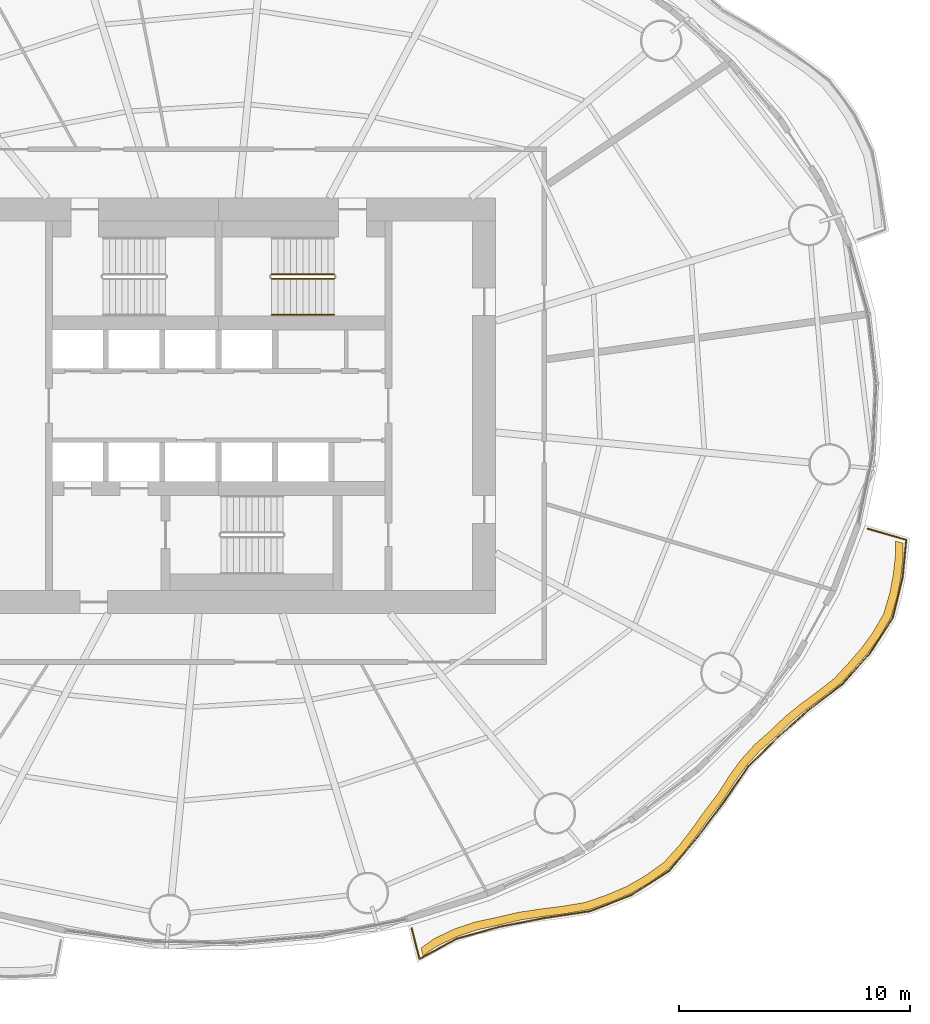
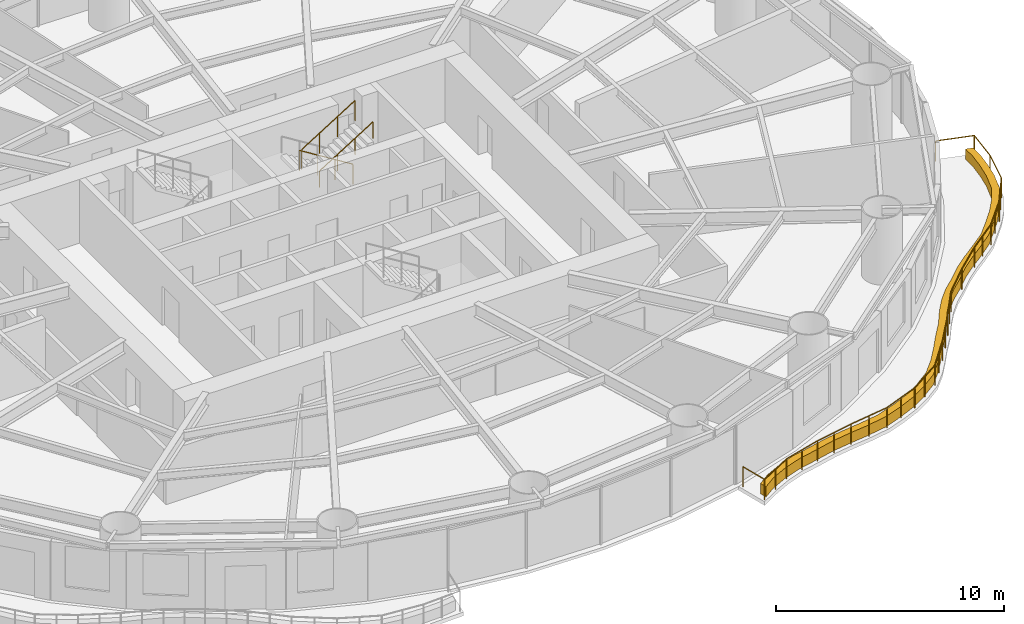
# One storey, part 14 of 16: 4 railings, 1 covering.
"""IFC4 building model written with IfcOpenShell, lengths in metres."""

from ifc_helpers import new_model, si_unit, direction, frame, origin, origin_2d, place, context, subcontext, project, spatial, polyline, circle, outline, extrude, material, type_object, element, save


model = new_model("IFC4")

# Units and contexts
model_context = context("Model", 3, precision=1e-05, world=origin(), true_north=direction((0.0, 1.0)))
body_context = subcontext(model_context, "Body", "Model", "MODEL_VIEW")
ifc_project = project(units=[si_unit("LENGTHUNIT", "METRE"), si_unit("AREAUNIT", "SQUARE_METRE"), si_unit("VOLUMEUNIT", "CUBIC_METRE"), si_unit("PLANEANGLEUNIT", "RADIAN"), si_unit("MASSUNIT", "GRAM", prefix="KILO")], contexts=[model_context])

# Site, building, storey
site_placement = place(None, origin())
site = spatial("IfcSite", under=ifc_project, at=site_placement, CompositionType="ELEMENT")
building_placement = place(site_placement, origin())
building = spatial("IfcBuilding", under=site, at=building_placement, Name="Vermilion Reach Broadcast Tower", CompositionType="ELEMENT")
storey_placement = place(building_placement, frame((0.0, 0.0, 43.39990234375)))
storey = spatial("IfcBuildingStorey", under=building, at=storey_placement, Name="L07", CompositionType="ELEMENT", Elevation=43.39990234375)

# Covering
ifc_material_1 = material(Name="Planting soil and greenery")
covering_type = type_object("IfcCoveringType", Name="Balcony PLANTER", PredefinedType="USERDEFINED", material=ifc_material_1)
covering_placement = place(storey_placement, origin())
element("IfcCovering", 1, at=covering_placement, inside=storey, type_object=covering_type, Name="PLANTER L07 group 4", ObjectType="PLANTER", PredefinedType="USERDEFINED", context=body_context, shape_type="SweptSolid", body=[
    extrude(outline(polyline([(2.852783203125, -23.826904296875), (3.458740234375, -23.4072265625), (4.30224609375, -23.004150390625), (5.178466796875, -22.70458984375), (6.149658203125, -22.492431640625), (7.115234375, -22.263671875), (8.048828125, -22.12158203125), (8.99365234375, -22.00439453125), (10.044921875, -21.822998046875), (11.021484375, -21.477783203125), (11.848876953125, -21.123046875), (12.62451171875, -20.680908203125), (13.471435546875, -20.076416015625), (14.169189453125, -19.317626953125), (14.7158203125, -18.598388671875), (15.245361328125, -17.857421875), (15.85400390625, -17.068603515625), (16.37646484375, -16.25927734375), (16.884765625, -15.56591796875), (17.456298828125, -14.935546875), (18.1484375, -14.320068359375), (18.803466796875, -13.684326171875), (19.4658203125, -13.148193359375), (20.159912109375, -12.635986328125), (20.94482421875, -12.019287109375), (21.59814453125, -11.30078125), (22.14111328125, -10.6787109375), (22.6220703125, -10.02197265625), (23.119384765625, -9.165283203125), (23.399169921875, -8.230224609375), (23.545654296875, -7.4404296875), (23.63818359375, -6.630126953125), (23.642822265625, -5.957763671875), (23.306640625, -5.860595703125), (23.310302734375, -6.507080078125), (23.218017578125, -7.3173828125), (23.071533203125, -8.107177734375), (22.8017578125, -9.01806640625), (22.31640625, -9.8515625), (21.83544921875, -10.50830078125), (21.29248046875, -11.13037109375), (20.65185546875, -11.82763671875), (19.881591796875, -12.424072265625), (19.1875, -12.93603515625), (18.52490234375, -13.472412109375), (17.884765625, -14.08984375), (17.208984375, -14.68798828125), (16.637451171875, -15.318359375), (16.12890625, -16.01171875), (15.623046875, -16.8056640625), (15.03173828125, -17.580078125), (14.502197265625, -18.3212890625), (13.95556640625, -19.040283203125), (13.275146484375, -19.78662109375), (12.4462890625, -20.379638671875), (11.670654296875, -20.82177734375), (10.84326171875, -21.176513671875), (9.884521484375, -21.511962890625), (8.8515625, -21.6845703125), (7.906982421875, -21.8017578125), (6.973388671875, -21.943603515625), (6.02587890625, -22.1650390625), (5.0732421875, -22.37060546875), (4.197265625, -22.67041015625), (3.353759765625, -23.0732421875), (2.76611328125, -23.48779296875), (2.852783203125, -23.826904296875)])), origin(), (0.0, 0.0, 1.0), 0.550048828125),
])

# Railings
ifc_material_2 = material(Name="Stainless steel 316 balustrade", Category="steel")
railing_type_1 = type_object("IfcRailingType", Name="Balcony guard 1100", PredefinedType="BALUSTRADE", material=ifc_material_2)
railing_1_placement = place(storey_placement, frame((2.364501953125, -22.640869140625, 0.0)))
element("IfcRailing", 2, at=railing_1_placement, inside=storey, type_object=railing_type_1, Name="Balcony guard L07 group 4", PredefinedType="BALUSTRADE", context=body_context, shape_type="SweptSolid", body=[
    extrude(circle(Radius=0.02490234375, at=origin_2d()), frame((0.0, 0.0, 1.0751953125), z_axis=(0.247433457587, -0.968904889071, 0.0), x_axis=(0.968904889071, 0.247433457587, 0.0)), (0.0, 0.0, 1.0), 1.359619140625),
    extrude(circle(Radius=0.02490234375, at=origin_2d()), frame((0.33642578125, -1.3173828125, 1.0751953125), z_axis=(0.879923078447, 0.475116171075, 0.0), x_axis=(-0.475116171075, 0.879923078447, 0.0)), (0.0, 0.0, 1.0), 1.847412109375),
    extrude(circle(Radius=0.02490234375, at=origin_2d()), frame((1.9619140625, -0.439697265625, 1.0751953125), z_axis=(0.963637957105, 0.267211316428, 0.0), x_axis=(-0.267211316428, 0.963637957105, 0.0)), (0.0, 0.0, 1.0), 1.92138671875),
    extrude(circle(Radius=0.02490234375, at=origin_2d()), frame((3.8134765625, 0.07373046875, 1.0751953125), z_axis=(0.981399873792, 0.191974705943, 0.0), x_axis=(-0.191974705943, 0.981399873792, 0.0)), (0.0, 0.0, 1.0), 1.939453125),
    extrude(circle(Radius=0.02490234375, at=origin_2d()), frame((5.716796875, 0.446044921875, 1.0751953125), z_axis=(0.988900024547, 0.148582439914, 0.0), x_axis=(-0.148582439914, 0.988900024547, 0.0)), (0.0, 0.0, 1.0), 2.022705078125),
    extrude(circle(Radius=0.02490234375, at=origin_2d()), frame((7.717041015625, 0.74658203125, 1.0751953125), z_axis=(0.93213688309, 0.362106104868, 0.0), x_axis=(-0.362106104868, 0.93213688309, 0.0)), (0.0, 0.0, 1.0), 1.939697265625),
    extrude(circle(Radius=0.02490234375, at=origin_2d()), frame((9.525146484375, 1.448974609375, 1.0751953125), z_axis=(0.84033741939, 0.542063669299, 0.0), x_axis=(-0.542063669299, 0.84033741939, 0.0)), (0.0, 0.0, 1.0), 1.935791015625),
    extrude(circle(Radius=0.02490234375, at=origin_2d()), frame((11.15185546875, 2.498291015625, 1.0751953125), z_axis=(0.644551019468, 0.764561301207, 0.0), x_axis=(-0.764561301207, 0.644551019468, 0.0)), (0.0, 0.0, 1.0), 1.936767578125),
    extrude(circle(Radius=0.02490234375, at=origin_2d()), frame((12.400146484375, 3.97900390625, 1.0751953125), z_axis=(0.597463613034, 0.801896022624, 0.0), x_axis=(-0.801896022624, 0.597463613034, 0.0)), (0.0, 0.0, 1.0), 1.911865234375),
    extrude(circle(Radius=0.02490234375, at=origin_2d()), frame((13.54248046875, 5.51220703125, 1.0751953125), z_axis=(0.566148813433, 0.824303051704, 0.0), x_axis=(-0.824303051704, 0.566148813433, 0.0)), (0.0, 0.0, 1.0), 1.8271484375),
    extrude(circle(Radius=0.02490234375, at=origin_2d()), frame((14.576904296875, 7.018310546875, 1.0751953125), z_axis=(0.712027506905, 0.702151571536, 0.0), x_axis=(-0.702151571536, 0.712027506905, 0.0)), (0.0, 0.0, 1.0), 1.77978515625),
    extrude(circle(Radius=0.02490234375, at=origin_2d()), frame((15.84423828125, 8.26806640625, 1.0751953125), z_axis=(0.746784486441, 0.665066110106, 0.0), x_axis=(-0.665066110106, 0.746784486441, 0.0)), (0.0, 0.0, 1.0), 1.7685546875),
    extrude(circle(Radius=0.02490234375, at=origin_2d()), frame((17.1650390625, 9.4443359375, 1.0751953125), z_axis=(0.794391258559, 0.607406394702, 0.0), x_axis=(-0.607406394702, 0.794391258559, 0.0)), (0.0, 0.0, 1.0), 1.86572265625),
    extrude(circle(Radius=0.02490234375, at=origin_2d()), frame((18.647216796875, 10.57763671875, 1.0751953125), z_axis=(0.665380369152, 0.746504497205, 0.0), x_axis=(-0.746504497205, 0.665380369152, 0.0)), (0.0, 0.0, 1.0), 1.802734375),
    extrude(circle(Radius=0.02490234375, at=origin_2d()), frame((19.8466796875, 11.92333984375, 1.0751953125), z_axis=(0.542551237905, 0.840022710555, 0.0), x_axis=(-0.840022710555, 0.542551237905, 0.0)), (0.0, 0.0, 1.0), 1.80810546875),
    extrude(circle(Radius=0.02490234375, at=origin_2d()), frame((20.82763671875, 13.442138671875, 1.0751953125), z_axis=(0.240375791463, 0.970679905468, 0.0), x_axis=(-0.970679905468, 0.240375791463, 0.0)), (0.0, 0.0, 1.0), 1.782470703125),
    extrude(circle(Radius=0.02490234375, at=origin_2d()), frame((21.256103515625, 15.17236328125, 1.0751953125), z_axis=(0.097514466118, 0.995234107584, 0.0), x_axis=(-0.995234107584, 0.097514466118, 0.0)), (0.0, 0.0, 1.0), 1.6650390625),
    extrude(circle(Radius=0.02490234375, at=origin_2d()), frame((21.41845703125, 16.829345703125, 1.0751953125), z_axis=(-0.960551474641, 0.27810225559, 0.0), x_axis=(-0.27810225559, -0.960551474641, 0.0)), (0.0, 0.0, 1.0), 1.744384765625),
    extrude(circle(Radius=0.02490234375, at=origin_2d()), origin(), (0.0, 0.0, 1.0), 1.050048828125),
    extrude(circle(Radius=0.02490234375, at=origin_2d()), frame((0.33642578125, -1.3173828125, 0.0)), (0.0, 0.0, 1.0), 1.050048828125),
    extrude(circle(Radius=0.02490234375, at=origin_2d()), frame((1.149169921875, -0.87841796875, 0.0)), (0.0, 0.0, 1.0), 1.050048828125),
    extrude(circle(Radius=0.02490234375, at=origin_2d()), frame((1.9619140625, -0.439697265625, 0.0)), (0.0, 0.0, 1.0), 1.050048828125),
    extrude(circle(Radius=0.02490234375, at=origin_2d()), frame((2.8876953125, -0.18310546875, 0.0)), (0.0, 0.0, 1.0), 1.050048828125),
    extrude(circle(Radius=0.02490234375, at=origin_2d()), frame((3.8134765625, 0.07373046875, 0.0)), (0.0, 0.0, 1.0), 1.050048828125),
    extrude(circle(Radius=0.02490234375, at=origin_2d()), frame((4.76513671875, 0.259765625, 0.0)), (0.0, 0.0, 1.0), 1.050048828125),
    extrude(circle(Radius=0.02490234375, at=origin_2d()), frame((5.716796875, 0.446044921875, 0.0)), (0.0, 0.0, 1.0), 1.050048828125),
    extrude(circle(Radius=0.02490234375, at=origin_2d()), frame((6.716796875, 0.59619140625, 0.0)), (0.0, 0.0, 1.0), 1.050048828125),
    extrude(circle(Radius=0.02490234375, at=origin_2d()), frame((7.717041015625, 0.74658203125, 0.0)), (0.0, 0.0, 1.0), 1.050048828125),
    extrude(circle(Radius=0.02490234375, at=origin_2d()), frame((8.62109375, 1.09765625, 0.0)), (0.0, 0.0, 1.0), 1.050048828125),
    extrude(circle(Radius=0.02490234375, at=origin_2d()), frame((9.525146484375, 1.448974609375, 0.0)), (0.0, 0.0, 1.0), 1.050048828125),
    extrude(circle(Radius=0.02490234375, at=origin_2d()), frame((10.33837890625, 1.9736328125, 0.0)), (0.0, 0.0, 1.0), 1.050048828125),
    extrude(circle(Radius=0.02490234375, at=origin_2d()), frame((11.15185546875, 2.498291015625, 0.0)), (0.0, 0.0, 1.0), 1.050048828125),
    extrude(circle(Radius=0.02490234375, at=origin_2d()), frame((11.77587890625, 3.23876953125, 0.0)), (0.0, 0.0, 1.0), 1.050048828125),
    extrude(circle(Radius=0.02490234375, at=origin_2d()), frame((12.400146484375, 3.97900390625, 0.0)), (0.0, 0.0, 1.0), 1.050048828125),
    extrude(circle(Radius=0.02490234375, at=origin_2d()), frame((12.97119140625, 4.74560546875, 0.0)), (0.0, 0.0, 1.0), 1.050048828125),
    extrude(circle(Radius=0.02490234375, at=origin_2d()), frame((13.54248046875, 5.51220703125, 0.0)), (0.0, 0.0, 1.0), 1.050048828125),
    extrude(circle(Radius=0.02490234375, at=origin_2d()), frame((14.0595703125, 6.26513671875, 0.0)), (0.0, 0.0, 1.0), 1.050048828125),
    extrude(circle(Radius=0.02490234375, at=origin_2d()), frame((14.576904296875, 7.018310546875, 0.0)), (0.0, 0.0, 1.0), 1.050048828125),
    extrude(circle(Radius=0.02490234375, at=origin_2d()), frame((15.84423828125, 8.26806640625, 0.0)), (0.0, 0.0, 1.0), 1.050048828125),
    extrude(circle(Radius=0.02490234375, at=origin_2d()), frame((17.1650390625, 9.4443359375, 0.0)), (0.0, 0.0, 1.0), 1.050048828125),
    extrude(circle(Radius=0.02490234375, at=origin_2d()), frame((17.90625, 10.010986328125, 0.0)), (0.0, 0.0, 1.0), 1.050048828125),
    extrude(circle(Radius=0.02490234375, at=origin_2d()), frame((18.647216796875, 10.57763671875, 0.0)), (0.0, 0.0, 1.0), 1.050048828125),
    extrude(circle(Radius=0.02490234375, at=origin_2d()), frame((19.2470703125, 11.25048828125, 0.0)), (0.0, 0.0, 1.0), 1.050048828125),
    extrude(circle(Radius=0.02490234375, at=origin_2d()), frame((19.8466796875, 11.92333984375, 0.0)), (0.0, 0.0, 1.0), 1.050048828125),
    extrude(circle(Radius=0.02490234375, at=origin_2d()), frame((20.337158203125, 12.6826171875, 0.0)), (0.0, 0.0, 1.0), 1.050048828125),
    extrude(circle(Radius=0.02490234375, at=origin_2d()), frame((20.82763671875, 13.442138671875, 0.0)), (0.0, 0.0, 1.0), 1.050048828125),
    extrude(circle(Radius=0.02490234375, at=origin_2d()), frame((21.256103515625, 15.17236328125, 0.0)), (0.0, 0.0, 1.0), 1.050048828125),
    extrude(circle(Radius=0.02490234375, at=origin_2d()), frame((21.41845703125, 16.829345703125, 0.0)), (0.0, 0.0, 1.0), 1.050048828125),
    extrude(circle(Radius=0.02490234375, at=origin_2d()), frame((19.742919921875, 17.314453125, 0.0)), (0.0, 0.0, 1.0), 1.050048828125),
])
ifc_material_3 = material(Name="Stainless steel", Category="steel")
railing_type_2 = type_object("IfcRailingType", Name="Stair guard 1100", PredefinedType="GUARDRAIL", material=ifc_material_3)
railing_2_placement = place(storey_placement, frame((-1.0, 5.68994140625, 0.168212890625)))
element("IfcRailing", 3, at=railing_2_placement, inside=storey, type_object=railing_type_2, Name="L07 ST2 stair guard 1", PredefinedType="GUARDRAIL", context=body_context, shape_type="SweptSolid", body=[
    extrude(circle(Radius=0.02392578125, at=origin_2d()), frame((0.0, 0.0, 1.076171875), z_axis=(-0.848786430784, 0.0, 0.528735846068), x_axis=(0.0, -1.0, 0.0)), (0.0, 0.0, 1.0), 3.180908203125),
    extrude(circle(Radius=0.02099609375, at=origin_2d()), origin(), (0.0, 0.0, 1.0), 1.052001953125),
    extrude(circle(Radius=0.02099609375, at=origin_2d()), frame((-0.89990234375, 0.0, 0.560546875)), (0.0, 0.0, 1.0), 1.052001953125),
    extrude(circle(Radius=0.02099609375, at=origin_2d()), frame((-1.800048828125, 0.0, 1.121337890625)), (0.0, 0.0, 1.0), 1.052001953125),
    extrude(circle(Radius=0.02099609375, at=origin_2d()), frame((-2.699951171875, 0.0, 1.681884765625)), (0.0, 0.0, 1.0), 1.052001953125),
])
railing_3_placement = place(storey_placement, frame((-3.699951171875, 5.489990234375, 2.018310546875)))
element("IfcRailing", 4, at=railing_3_placement, inside=storey, type_object=railing_type_2, Name="L07 ST2 stair guard 3", PredefinedType="GUARDRAIL", context=body_context, shape_type="SweptSolid", body=[
    extrude(circle(Radius=0.02392578125, at=origin_2d()), frame((0.0, 0.0, 1.076171875), z_axis=(0.848786430784, 0.0, 0.528735846068), x_axis=(0.0, 1.0, 0.0)), (0.0, 0.0, 1.0), 3.180908203125),
    extrude(circle(Radius=0.02099609375, at=origin_2d()), origin(), (0.0, 0.0, 1.0), 1.052001953125),
    extrude(circle(Radius=0.02099609375, at=origin_2d()), frame((0.89990234375, 0.0, 0.560546875)), (0.0, 0.0, 1.0), 1.052001953125),
    extrude(circle(Radius=0.02099609375, at=origin_2d()), frame((1.800048828125, 0.0, 1.121337890625)), (0.0, 0.0, 1.0), 1.052001953125),
    extrude(circle(Radius=0.02099609375, at=origin_2d()), frame((2.699951171875, 0.0, 1.681884765625)), (0.0, 0.0, 1.0), 1.052001953125),
])
ifc_material_4 = material(Name="Stainless steel", Category="steel")
railing_type_3 = type_object("IfcRailingType", Name="Stair handrail", PredefinedType="HANDRAIL", material=ifc_material_4)
railing_4_placement = place(storey_placement, frame((-3.699951171875, 3.929931640625, 2.018310546875)))
element("IfcRailing", 5, at=railing_4_placement, inside=storey, type_object=railing_type_3, Name="L07 ST2 stair handrail 2", PredefinedType="HANDRAIL", context=body_context, shape_type="SweptSolid", body=[
    extrude(circle(Radius=0.02392578125, at=origin_2d()), frame((0.0, 0.0, 0.8759765625), z_axis=(0.848786430784, 0.0, 0.528735846068), x_axis=(0.0, 1.0, 0.0)), (0.0, 0.0, 1.0), 3.180908203125),
    extrude(circle(Radius=0.02099609375, at=origin_2d()), origin(), (0.0, 0.0, 1.0), 0.851806640625),
    extrude(circle(Radius=0.02099609375, at=origin_2d()), frame((0.89990234375, 0.0, 0.560546875)), (0.0, 0.0, 1.0), 0.851806640625),
    extrude(circle(Radius=0.02099609375, at=origin_2d()), frame((1.800048828125, 0.0, 1.121337890625)), (0.0, 0.0, 1.0), 0.851806640625),
    extrude(circle(Radius=0.02099609375, at=origin_2d()), frame((2.699951171875, 0.0, 1.681884765625)), (0.0, 0.0, 1.0), 0.851806640625),
])

save(model, "model.ifc")
